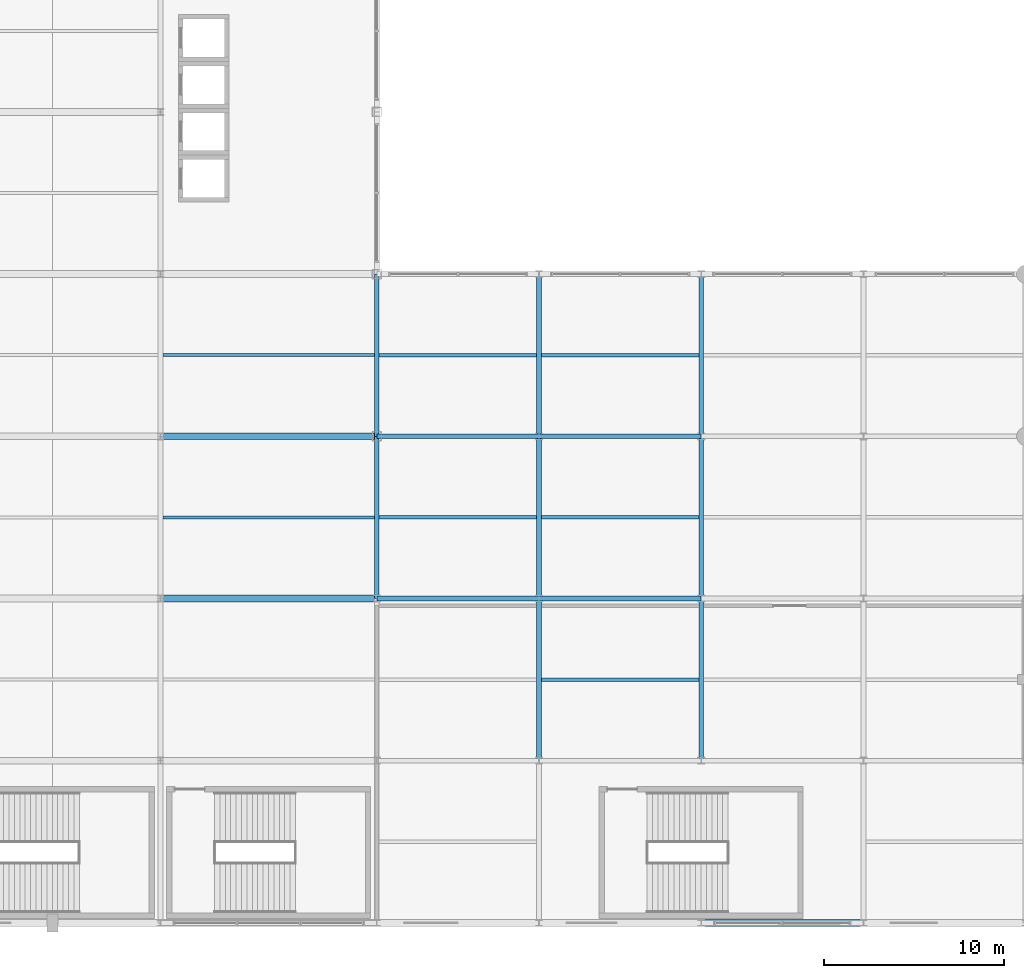
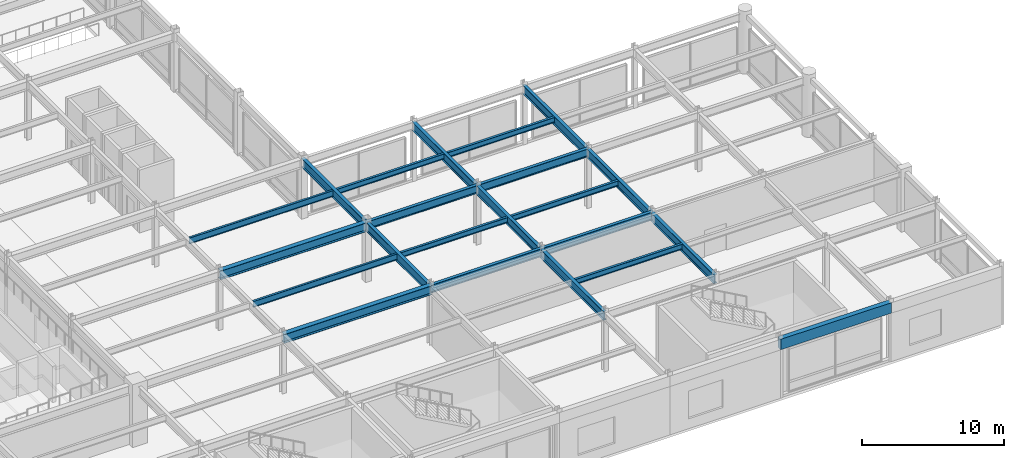
# One storey, part 41 of 100: 22 beams.
"""IFC4 building model written with IfcOpenShell, lengths in metres."""

from ifc_helpers import new_model, si_unit, direction, frame, origin, origin_2d, place, context, subcontext, project, spatial, rectangle, i_section, extrude, material, material_profile, profile_set, type_object, element, save


model = new_model("IFC4")

# Units and contexts
model_context = context("Model", 3, precision=1e-05, world=origin(), true_north=direction((0.0, 1.0)))
body_context = subcontext(model_context, "Body", "Model", "MODEL_VIEW")
ifc_project = project(units=[si_unit("LENGTHUNIT", "METRE"), si_unit("AREAUNIT", "SQUARE_METRE"), si_unit("VOLUMEUNIT", "CUBIC_METRE"), si_unit("PLANEANGLEUNIT", "RADIAN"), si_unit("MASSUNIT", "GRAM", prefix="KILO")], contexts=[model_context])

# Site, building, storey
site_placement = place(None, origin())
site = spatial("IfcSite", under=ifc_project, at=site_placement, CompositionType="ELEMENT")
building_placement = place(site_placement, origin())
building = spatial("IfcBuilding", under=site, at=building_placement, Name="Kaldorvane Square Convention Centre", CompositionType="ELEMENT")
storey_placement = place(building_placement, frame((0.0, 0.0, 18.0)))
storey = spatial("IfcBuildingStorey", under=building, at=storey_placement, Name="L03", CompositionType="ELEMENT", Elevation=18.0)

# Beams
ifc_material_1 = material(Name="Steel ASTM A992 Gr. 50", Category="steel")
ifc_material_profile_1 = material_profile(ifc_material_1, i_section(OverallWidth=0.25439453125, OverallDepth=0.6880950927734375, WebThickness=0.0131072998046875, FlangeThickness=0.0211029052734375, FilletRadius=0.01519775390625, at=origin_2d()), Name="W27X102")
ifc_profile_set_1 = profile_set([ifc_material_profile_1], Name="Steel ASTM A992 Gr. 50")
beam_type_1 = type_object("IfcBeamType", Name="BM-GR-W27X102", PredefinedType="BEAM", material=ifc_profile_set_1)
for number, where, z_axis, x_axis, name in (
    (1, (138.0, 18.0, 4.731903076171875), (1.0, 0.0, 0.0), (0.0, 1.0, 0.0), "Primary Girder (L03)"),
    (2, (147.0, 18.0, 4.731903076171875), (1.0, 0.0, 0.0), (0.0, 1.0, 0.0), "Primary Girder (L03)"),
    (3, (138.0, 27.0, 4.731903076171875), (1.0, 0.0, 0.0), (0.0, 1.0, 0.0), "Primary Girder (L03)"),
    (4, (147.0, 27.0, 4.731903076171875), (1.0, 0.0, 0.0), (0.0, 1.0, 0.0), "Primary Girder (L03)"),
):
    element("IfcBeam", number, at=place(storey_placement, frame(where, z_axis=z_axis, x_axis=x_axis)), inside=storey, type_object=beam_type_1, Name=name, PredefinedType="BEAM", context=body_context, shape_type="SweptSolid", body=[
        extrude(i_section(OverallWidth=0.25439453125, OverallDepth=0.6880950927734375, WebThickness=0.0131072998046875, FlangeThickness=0.0211029052734375, FilletRadius=0.01519775390625, at=origin_2d()), origin(), (0.0, 0.0, 1.0), 9.0),
    ])
ifc_material_profile_2 = material_profile(ifc_material_1, i_section(OverallWidth=0.2666015625, OverallDepth=0.762298583984375, WebThickness=0.014404296875, FlangeThickness=0.0216064453125, FilletRadius=0.0164947509765625, at=origin_2d()), Name="W30X116")
ifc_profile_set_2 = profile_set([ifc_material_profile_2], Name="Steel ASTM A992 Gr. 50")
beam_type_2 = type_object("IfcBeamType", Name="BM-GR-W30X116", PredefinedType="BEAM", material=ifc_profile_set_2)
for number, where, z_axis, x_axis, name in (
    (5, (138.0, 18.0, 4.694793701171875), (0.0, 1.0, 0.0), (-1.0, 0.0, 0.0), "Transverse Girder (L03)"),
    (6, (138.0, 27.0, 4.694793701171875), (0.0, 1.0, 0.0), (-1.0, 0.0, 0.0), "Transverse Girder (L03)"),
    (7, (147.0, 9.0, 4.694793701171875), (0.0, 1.0, 0.0), (-1.0, 0.0, 0.0), "Transverse Girder (L03)"),
    (8, (147.0, 18.0, 4.694793701171875), (0.0, 1.0, 0.0), (-1.0, 0.0, 0.0), "Transverse Girder (L03)"),
    (9, (147.0, 27.0, 4.694793701171875), (0.0, 1.0, 0.0), (-1.0, 0.0, 0.0), "Transverse Girder (L03)"),
    (10, (156.0, 9.0, 4.694793701171875), (0.0, 1.0, 0.0), (-1.0, 0.0, 0.0), "Transverse Girder (L03)"),
    (11, (156.0, 18.0, 4.694793701171875), (0.0, 1.0, 0.0), (-1.0, 0.0, 0.0), "Transverse Girder (L03)"),
    (12, (156.0, 27.0, 4.694793701171875), (0.0, 1.0, 0.0), (-1.0, 0.0, 0.0), "Transverse Girder (L03)"),
):
    element("IfcBeam", number, at=place(storey_placement, frame(where, z_axis=z_axis, x_axis=x_axis)), inside=storey, type_object=beam_type_2, Name=name, PredefinedType="BEAM", context=body_context, shape_type="SweptSolid", body=[
        extrude(i_section(OverallWidth=0.2666015625, OverallDepth=0.762298583984375, WebThickness=0.014404296875, FlangeThickness=0.0216064453125, FilletRadius=0.0164947509765625, at=origin_2d()), origin(), (0.0, 0.0, 1.0), 9.0),
    ])
ifc_material_profile_3 = material_profile(ifc_material_1, i_section(OverallWidth=0.380706787109375, OverallDepth=0.773193359375, WebThickness=0.0166015625, FlangeThickness=0.027099609375, FilletRadius=0.0164947509765625, at=origin_2d()), Name="W30X173")
ifc_profile_set_3 = profile_set([ifc_material_profile_3], Name="Steel ASTM A992 Gr. 50")
beam_type_3 = type_object("IfcBeamType", Name="BM-GR-W30X173", PredefinedType="BEAM", material=ifc_profile_set_3)
for number, where, z_axis, x_axis, name in (
    (13, (126.0, 18.0, 4.6894073486328125), (1.0, 0.0, 0.0), (0.0, 1.0, 0.0), "Primary Girder (L03)"),
    (14, (126.0, 27.0, 4.6894073486328125), (1.0, 0.0, 0.0), (0.0, 1.0, 0.0), "Primary Girder (L03)"),
):
    element("IfcBeam", number, at=place(storey_placement, frame(where, z_axis=z_axis, x_axis=x_axis)), inside=storey, type_object=beam_type_3, Name=name, PredefinedType="BEAM", context=body_context, shape_type="SweptSolid", body=[
        extrude(i_section(OverallWidth=0.380706787109375, OverallDepth=0.773193359375, WebThickness=0.0166015625, FlangeThickness=0.027099609375, FilletRadius=0.0164947509765625, at=origin_2d()), origin(), (0.0, 0.0, 1.0), 12.0),
    ])
ifc_material_profile_4 = material_profile(ifc_material_1, i_section(OverallWidth=0.1912994384765625, OverallDepth=0.4600067138671875, WebThickness=0.0099029541015625, FlangeThickness=0.0160064697265625, FilletRadius=0.01019287109375, at=origin_2d()), Name="W18X55")
ifc_profile_set_4 = profile_set([ifc_material_profile_4], Name="Steel ASTM A992 Gr. 50")
beam_type_4 = type_object("IfcBeamType", Name="BM-JS-W18X55", PredefinedType="JOIST", material=ifc_profile_set_4)
for number, where, z_axis, x_axis, name in (
    (15, (147.13330078125, 13.5, 4.8459930419921875), (1.0, 0.0, 0.0), (0.0, 1.0, 0.0), "Secondary Floor Joist (L03)"),
    (16, (138.13330078125, 22.5, 4.8459930419921875), (1.0, 0.0, 0.0), (0.0, 1.0, 0.0), "Secondary Floor Joist (L03)"),
    (17, (147.13330078125, 22.5, 4.8459930419921875), (1.0, 0.0, 0.0), (0.0, 1.0, 0.0), "Secondary Floor Joist (L03)"),
    (18, (138.13330078125, 31.5, 4.8459930419921875), (1.0, 0.0, 0.0), (0.0, 1.0, 0.0), "Secondary Floor Joist (L03)"),
    (19, (147.13330078125, 31.5, 4.8459930419921875), (1.0, 0.0, 0.0), (0.0, 1.0, 0.0), "Secondary Floor Joist (L03)"),
):
    element("IfcBeam", number, at=place(storey_placement, frame(where, z_axis=z_axis, x_axis=x_axis)), inside=storey, type_object=beam_type_4, Name=name, PredefinedType="JOIST", context=body_context, shape_type="SweptSolid", body=[
        extrude(i_section(OverallWidth=0.1912994384765625, OverallDepth=0.4600067138671875, WebThickness=0.0099029541015625, FlangeThickness=0.0160064697265625, FilletRadius=0.01019287109375, at=origin_2d()), origin(), (0.0, 0.0, 1.0), 8.7333984375),
    ])
ifc_material_profile_5 = material_profile(ifc_material_1, i_section(OverallWidth=0.1658935546875, OverallDepth=0.5290985107421875, WebThickness=0.00970458984375, FlangeThickness=0.0135955810546875, FilletRadius=0.0126953125, at=origin_2d()), Name="W21X50")
ifc_profile_set_5 = profile_set([ifc_material_profile_5], Name="Steel ASTM A992 Gr. 50")
beam_type_5 = type_object("IfcBeamType", Name="BM-JS-W21X50", PredefinedType="JOIST", material=ifc_profile_set_5)
for number, where, z_axis, x_axis, name in (
    (20, (126.13330078125, 22.5, 4.8114013671875), (1.0, 0.0, 0.0), (0.0, 1.0, 0.0), "Secondary Floor Joist (L03)"),
    (21, (126.13330078125, 31.5, 4.8114013671875), (1.0, 0.0, 0.0), (0.0, 1.0, 0.0), "Secondary Floor Joist (L03)"),
):
    element("IfcBeam", number, at=place(storey_placement, frame(where, z_axis=z_axis, x_axis=x_axis)), inside=storey, type_object=beam_type_5, Name=name, PredefinedType="JOIST", context=body_context, shape_type="SweptSolid", body=[
        extrude(i_section(OverallWidth=0.1658935546875, OverallDepth=0.5290985107421875, WebThickness=0.00970458984375, FlangeThickness=0.0135955810546875, FilletRadius=0.0126953125, at=origin_2d()), origin(), (0.0, 0.0, 1.0), 11.7333984375),
    ])
ifc_material_2 = material(Name="Concrete f'c = 42 MPa (Normalweight)", Category="concrete")
ifc_material_profile_6 = material_profile(ifc_material_2, rectangle(XDim=0.399993896484375, YDim=0.899993896484375, at=origin_2d()), Name="RCSP900X400")
ifc_profile_set_6 = profile_set([ifc_material_profile_6], Name="Concrete f'c = 42 MPa (Normalweight)")
beam_type_6 = type_object("IfcBeamType", Name="BM-SP-RC900", PredefinedType="SPANDREL", material=ifc_profile_set_6)
beam_placement = place(storey_placement, frame((156.0, 0.0, 4.626007080078125), z_axis=(1.0, 0.0, 0.0), x_axis=(0.0, 1.0, 0.0)))
element("IfcBeam", 22, at=beam_placement, inside=storey, type_object=beam_type_6, Name="Perimeter Spandrel (L03)", PredefinedType="SPANDREL", context=body_context, shape_type="SweptSolid", body=[
    extrude(rectangle(XDim=0.399993896484375, YDim=0.899993896484375, at=origin_2d()), origin(), (0.0, 0.0, 1.0), 9.0),
])

save(model, "model.ifc")
